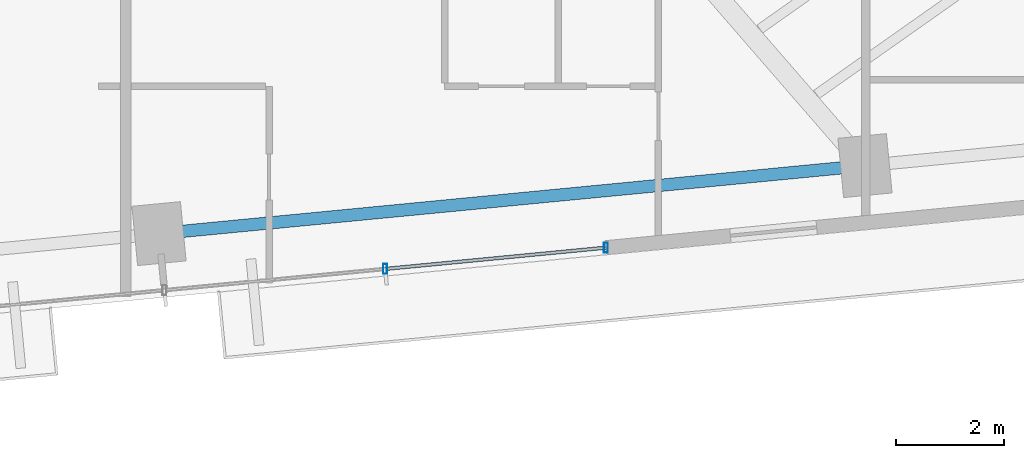
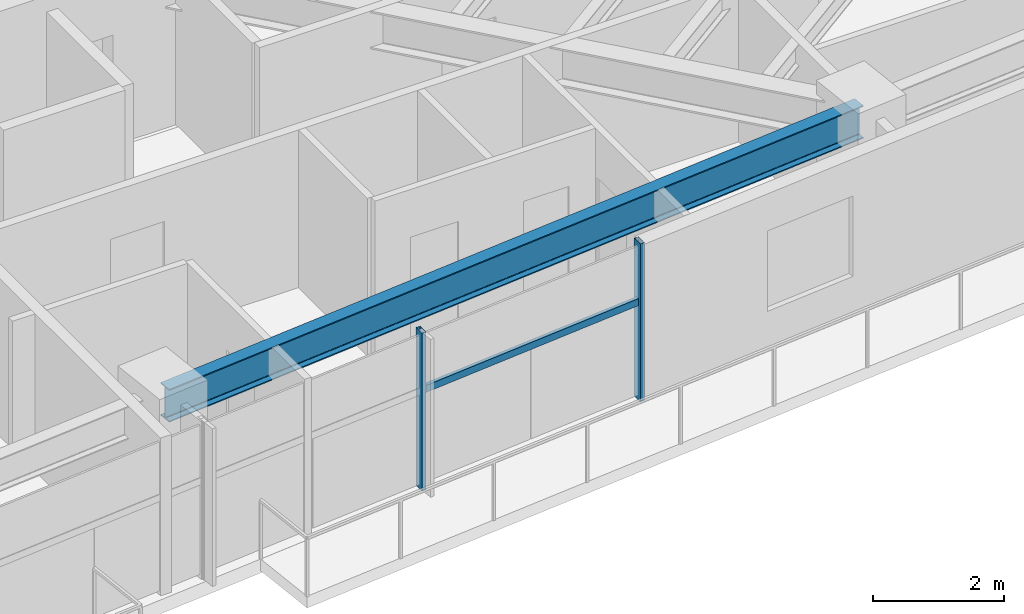
# One storey, part 12 of 27: 3 members, 1 beam, 1 element without a shape of its own.
"""IFC4 building model written with IfcOpenShell, lengths in metres."""

from ifc_helpers import new_model, si_unit, direction, frame, origin, origin_2d, place, context, subcontext, project, spatial, hollow_rectangle, i_section, extrude, source, transform, mapped, material, material_profile, profile_set, type_object, type_shapes, element, aggregate, save


model = new_model("IFC4")

# Units and contexts
model_context = context("Model", 3, precision=1e-05, world=origin(), true_north=direction((0.0, 1.0)))
body_context = subcontext(model_context, "Body", "Model", "MODEL_VIEW")
ifc_project = project(units=[si_unit("LENGTHUNIT", "METRE"), si_unit("AREAUNIT", "SQUARE_METRE"), si_unit("VOLUMEUNIT", "CUBIC_METRE"), si_unit("PLANEANGLEUNIT", "RADIAN"), si_unit("MASSUNIT", "GRAM", prefix="KILO")], contexts=[model_context])

# Site, building, storey
site_placement = place(None, origin())
site = spatial("IfcSite", under=ifc_project, at=site_placement, CompositionType="ELEMENT")
building_placement = place(site_placement, origin())
building = spatial("IfcBuilding", under=site, at=building_placement, Name="Astriad Promenade Condominiums", CompositionType="ELEMENT")
storey_placement = place(building_placement, frame((0.0, 0.0, 90.60009765625)))
storey = spatial("IfcBuildingStorey", under=building, at=storey_placement, Name="L25", CompositionType="ELEMENT", Elevation=90.60009765625)

# Beam
ifc_material_1 = material(Name="Steel ASTM A992 Grade 50", Category="steel")
ifc_material_profile_1 = material_profile(ifc_material_1, i_section(OverallWidth=0.22900390625, OverallDepth=0.612060546875, WebThickness=0.011962890625, FlangeThickness=0.01953125, FilletRadius=0.017822265625, at=origin_2d()), Name="W24X84")
ifc_profile_set_1 = profile_set([ifc_material_profile_1], Name="Steel ASTM A992 Grade 50")
beam_type = type_object("IfcBeamType", Name="STEEL SPANDREL BEAM W24X84", PredefinedType="SPANDREL", material=ifc_profile_set_1)
shared_shape_1 = source(origin(), body_context, "Body", "SweptSolid", [
    extrude(i_section(OverallWidth=0.22900390625, OverallDepth=0.612060546875, WebThickness=0.011962890625, FlangeThickness=0.01953125, FilletRadius=0.017822265625, at=origin_2d()), origin(), (0.0, 0.0, 1.0), 13.02001953125),
])
type_shapes(beam_type, [shared_shape_1])
beam_placement = place(storey_placement, frame((40.085205078125, 7.5244140625, 2.6337890625), z_axis=(0.995395138946, 0.095856754395, 0.0), x_axis=(-0.095856754395, 0.995395138946, 0.0)))
element("IfcBeam", 1, at=beam_placement, inside=storey, type_object=beam_type, Name="Perimeter Spandrel Beam SP-S3-L25", PredefinedType="SPANDREL", context=body_context, shape_type="MappedRepresentation", body=[
    mapped(shared_shape_1, transform((0.0, 0.0, 0.0), scale=1.0)),
])

# Curtain wall, members
ifc_material_2 = material(Name="Anodised aluminium Black Dark Glass Unitised", Category="aluminium")
curtain_wall_type = type_object("IfcCurtainWallType", Name="CW-B2-DARK", PredefinedType="USERDEFINED", material=ifc_material_2)
curtain_wall_placement = place(storey_placement, origin())
curtain_wall = element("IfcCurtainWall", 2, at=curtain_wall_placement, inside=storey, type_object=curtain_wall_type, Name="CW-L25-S", ObjectType="UNITISED_CURTAIN_WALL", PredefinedType="USERDEFINED")
ifc_material_3 = material(Name="Anodised aluminium 6063-T6 Black", Category="aluminium")
ifc_material_profile_2 = material_profile(ifc_material_3, hollow_rectangle(XDim=0.074951171875, YDim=0.18505859375, WallThickness=0.00439453125, at=origin_2d()), Name="ALU-MUL-75X185")
ifc_profile_set_2 = profile_set([ifc_material_profile_2], Name="Anodised aluminium 6063-T6 Black")
member_type_1 = type_object("IfcMemberType", Name="MUL-ALU-MUL-75X185", PredefinedType="MULLION", material=ifc_profile_set_2)
shared_shape_2 = source(origin(), body_context, "Body", "SweptSolid", [
    extrude(hollow_rectangle(XDim=0.074951171875, YDim=0.18505859375, WallThickness=0.00439453125, at=origin_2d()), origin(), (0.0, 0.0, 1.0), 2.93994140625),
])
type_shapes(member_type_1, [shared_shape_2])
member_1_placement = place(storey_placement, frame((48.29833984375, 7.260498046875, 0.0), z_axis=(0.0, 0.0, 1.0), x_axis=(1.0, 0.0, 0.0)))
member_1 = element("IfcMember", 3, at=member_1_placement, type_object=member_type_1, Name="CW-L25-S-MUL-00", PredefinedType="MULLION", context=body_context, shape_type="MappedRepresentation", body=[
    mapped(shared_shape_2, transform((0.0, 0.0, 0.0), scale=1.0)),
])
member_2_placement = place(storey_placement, frame((44.22216796875, 6.867919921875, 0.0), z_axis=(0.0, 0.0, 1.0), x_axis=(1.0, 0.0, 0.0)))
member_2 = element("IfcMember", 4, at=member_2_placement, type_object=member_type_1, Name="CW-L25-S-MUL-01", PredefinedType="MULLION", context=body_context, shape_type="MappedRepresentation", body=[
    mapped(shared_shape_2, transform((0.0, 0.0, 0.0), scale=1.0)),
])
ifc_material_profile_3 = material_profile(ifc_material_3, hollow_rectangle(XDim=0.06494140625, YDim=0.1298828125, WallThickness=0.00390625, at=origin_2d()), Name="ALU-TRN-65X130")
ifc_profile_set_3 = profile_set([ifc_material_profile_3], Name="Anodised aluminium 6063-T6 Black")
member_type_2 = type_object("IfcMemberType", Name="TRN-ALU-TRN-65X130", PredefinedType="USERDEFINED", material=ifc_profile_set_3)
shared_shape_3 = source(origin(), body_context, "Body", "SweptSolid", [
    extrude(hollow_rectangle(XDim=0.06494140625, YDim=0.1298828125, WallThickness=0.00390625, at=origin_2d()), origin(), (0.0, 0.0, 1.0), 4.094970703125),
])
type_shapes(member_type_2, [shared_shape_3])
member_3_placement = place(storey_placement, frame((48.29833984375, 7.260498046875, 1.82275390625), z_axis=(-0.995394161585, -0.09586690296, 0.0), x_axis=(0.09586690296, -0.995394161585, 0.0)))
member_3 = element("IfcMember", 5, at=member_3_placement, type_object=member_type_2, Name="CW-L25-S-TRN-00-0", ObjectType="TRANSOM", PredefinedType="USERDEFINED", context=body_context, shape_type="MappedRepresentation", body=[
    mapped(shared_shape_3, transform((0.0, 0.0, 0.0), scale=1.0)),
])
aggregate(curtain_wall, [member_1, member_2, member_3])

save(model, "model.ifc")
